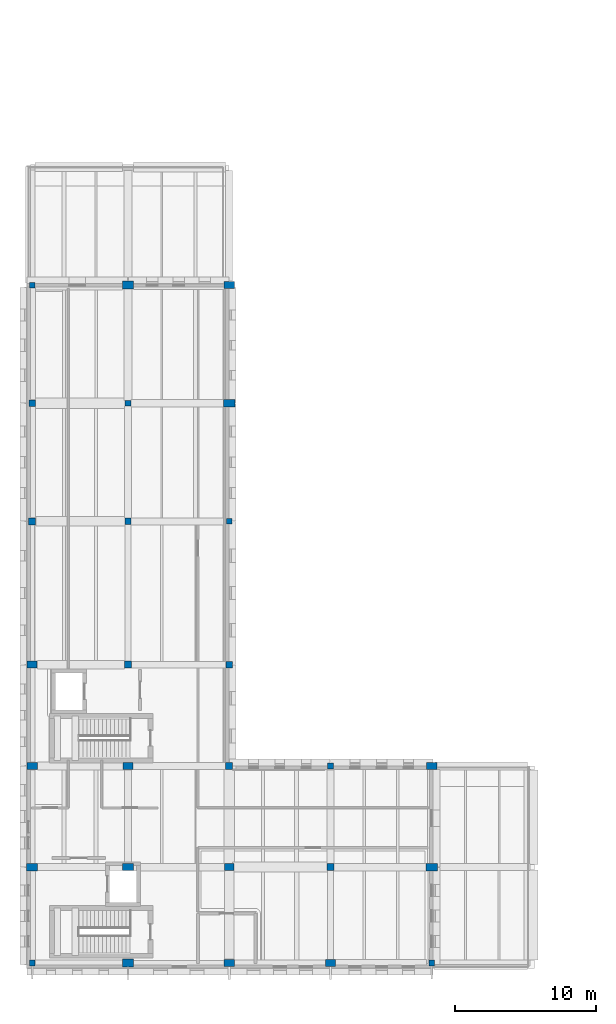
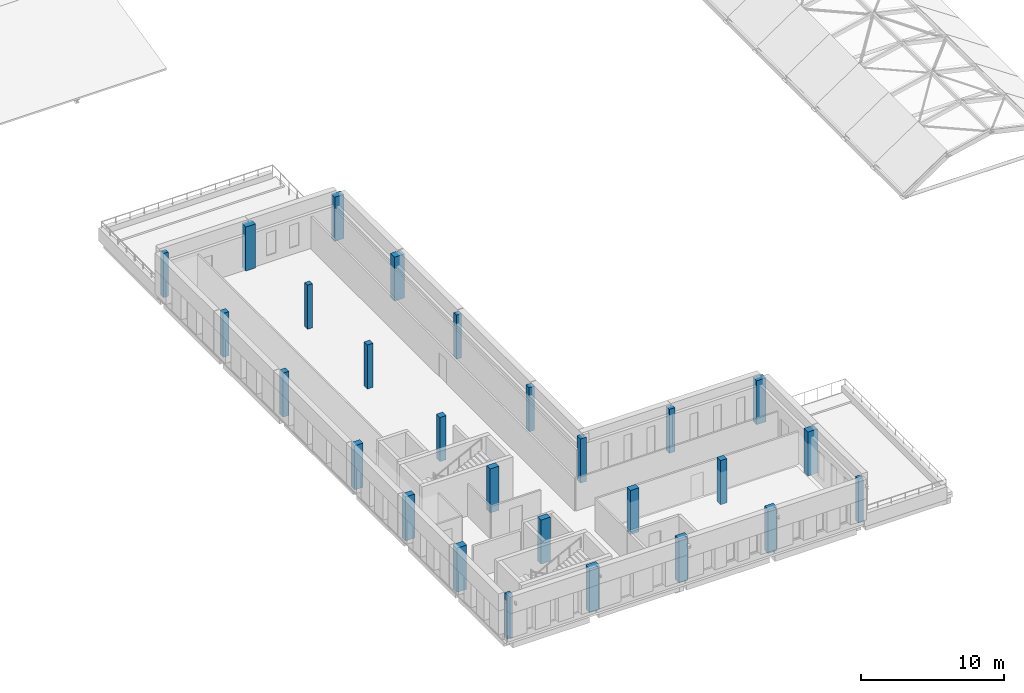
# One storey, part 1 of 15: 27 columns.
"""IFC4 building model written with IfcOpenShell, lengths in metres."""

import ifcopenshell
import ifcopenshell.guid

model = None  # the IFC model being written
_history = None  # IfcOwnerHistory: only IFC2X3 demands one
_inside = {}  # id of a spatial element -> (the spatial element, [elements in it])
_under = {}  # id of a project, library or spatial element -> (it, [spatial elements below it])
_declared = {}  # id of a project -> (the project, [libraries it declares])
_typed = {}  # id of a type object -> (the type object, [elements of that type])
_made_of = {}  # id of a material, layer set ... -> (it, [elements and type objects made of it])


def new_model(schema):
    """Start an empty IFC model of exactly this schema.

    Asked for "IFC4X3", IfcOpenShell would pick the latest addendum, in which some entities
    have other attributes; the version numbers below select the first issue.
    IFC2X3 requires an IfcOwnerHistory on every rooted entity: one is made here for all.
    """
    global model, _history
    if schema == "IFC4X3":
        model = ifcopenshell.file(schema_version=(4, 3, 0, 0))
    else:
        model = ifcopenshell.file(schema=schema)
    _inside.clear()
    _under.clear()
    _declared.clear()
    _typed.clear()
    _made_of.clear()
    _history = None
    if model.schema == "IFC2X3":
        org = make("IfcOrganization", Name="unknown")
        user = make(
            "IfcPersonAndOrganization",
            ThePerson=make("IfcPerson", FamilyName="unknown"),
            TheOrganization=org,
        )
        app = make(
            "IfcApplication",
            ApplicationDeveloper=org,
            Version="unknown",
            ApplicationFullName="unknown",
            ApplicationIdentifier="unknown",
        )
        _history = make(
            "IfcOwnerHistory",
            OwningUser=user,
            OwningApplication=app,
            ChangeAction="ADDED",
            CreationDate=0,
        )
    return model


def make(cls, **values):
    """One entity of the class cls with the attributes given. An attribute that is None is left unset."""
    return model.create_entity(
        cls, **{name: value for name, value in values.items() if value is not None}
    )


def rooted(cls, **values):
    """An entity with a GlobalId (a new one), such as an element, a storey or a relation."""
    return make(cls, GlobalId=ifcopenshell.guid.new(), OwnerHistory=_history, **values)


def si_unit(unit_type, name, prefix=None):
    """IfcSIUnit, for example si_unit("LENGTHUNIT", "METRE", prefix="MILLI")."""
    return make("IfcSIUnit", UnitType=unit_type, Prefix=prefix, Name=name)


def assignment(units):
    """IfcUnitAssignment: the units of a project."""
    return None if units is None else make("IfcUnitAssignment", Units=units)


def point(xyz):
    """IfcCartesianPoint."""
    return None if xyz is None else make("IfcCartesianPoint", Coordinates=xyz)


def direction(xyz):
    """IfcDirection."""
    return None if xyz is None else make("IfcDirection", DirectionRatios=xyz)


def frame(location, z_axis=None, x_axis=None):
    """IfcAxis2Placement3D, a coordinate frame: its origin and axes. An axis left out is left unset."""
    return make(
        "IfcAxis2Placement3D",
        Location=point(location),
        Axis=direction(z_axis),
        RefDirection=direction(x_axis),
    )


def frame_2d(location, x_axis=None):
    """IfcAxis2Placement2D, a coordinate frame in the plane: its origin and x axis."""
    return make(
        "IfcAxis2Placement2D", Location=point(location), RefDirection=direction(x_axis)
    )


def origin():
    """The frame at (0, 0, 0) with its axes left unset."""
    return frame((0.0, 0.0, 0.0))


def origin_2d():
    """The frame at (0, 0) in the plane with its x axis left unset."""
    return frame_2d((0.0, 0.0))


def place(relative_to, where):
    """IfcLocalPlacement: puts the frame where relative to a parent placement (None: the world)."""
    return make(
        "IfcLocalPlacement", PlacementRelTo=relative_to, RelativePlacement=where
    )


def context(
    kind, dimensions, precision=None, world=None, true_north=None, identifier=None
):
    """IfcGeometricRepresentationContext, for example the 3D "Model" context."""
    return make(
        "IfcGeometricRepresentationContext",
        ContextIdentifier=identifier,
        ContextType=kind,
        CoordinateSpaceDimension=dimensions,
        Precision=precision,
        WorldCoordinateSystem=world,
        TrueNorth=true_north,
    )


def subcontext(parent, identifier, kind, view, scale=None):
    """IfcGeometricRepresentationSubContext, for example "Body" below "Model"."""
    return make(
        "IfcGeometricRepresentationSubContext",
        ContextIdentifier=identifier,
        ContextType=kind,
        ParentContext=parent,
        TargetScale=scale,
        TargetView=view,
    )


def project(units=None, contexts=None):
    """IfcProject with its units and contexts."""
    return rooted(
        "IfcProject",
        Name="project",
        RepresentationContexts=contexts,
        UnitsInContext=assignment(units),
    )


def spatial(cls, under=None, at=None, **own):
    """A site, building, storey or space (cls), placed at a placement, below another one or the project."""
    s = rooted(cls, ObjectPlacement=at, **own)
    if under is not None:
        _under.setdefault(under.id(), (under, []))[1].append(s)
    return s


def profile(cls, at=None, kind="AREA", **sizes):
    """A parametric profile (cls). Its sizes go by their IFC names, for example OverallWidth=200.0."""
    return make(cls, ProfileType=kind, Position=at, **sizes)


def rectangle(**sizes):
    """IfcRectangleProfileDef."""
    return profile("IfcRectangleProfileDef", **sizes)


def extrude(swept, where, along, depth):
    """IfcExtrudedAreaSolid: the profile swept, set in the frame where, extruded along a direction by depth."""
    return make(
        "IfcExtrudedAreaSolid",
        SweptArea=swept,
        Position=where,
        ExtrudedDirection=direction(along),
        Depth=depth,
    )


def shape(context_of_items, identifier, shape_type, items):
    """IfcShapeRepresentation: the items that make up one representation, for example the "Body"."""
    return make(
        "IfcShapeRepresentation",
        ContextOfItems=context_of_items,
        RepresentationIdentifier=identifier,
        RepresentationType=shape_type,
        Items=items,
    )


def material(Name=None, Category=None):
    """IfcMaterial."""
    return make("IfcMaterial", Name=Name, Category=Category)


def material_profile(
    of_material, cross_section, Name=None, Category=None, Priority=None
):
    """IfcMaterialProfile: a cross section and its material."""
    return make(
        "IfcMaterialProfile",
        Name=Name,
        Material=of_material,
        Profile=cross_section,
        Priority=Priority,
        Category=Category,
    )


def profile_set(profiles, Name=None, composite=None):
    """IfcMaterialProfileSet."""
    return make(
        "IfcMaterialProfileSet",
        Name=Name,
        MaterialProfiles=profiles,
        CompositeProfile=composite,
    )


def made_of(thing, what):
    """Note that an element or type object is made of a material, layer set ...; save() writes the relation."""
    if what is not None:
        _made_of.setdefault(what.id(), (what, []))[1].append(thing)
    return thing


def type_object(cls, material=None, **own):
    """A type object (cls), such as IfcWallType, which elements share."""
    return made_of(rooted(cls, **own), material)


def element(
    cls,
    number,
    at=None,
    inside=None,
    cuts=None,
    type_object=None,
    material=None,
    context=None,
    identifier="Body",
    shape_type=None,
    held_by="IfcProductDefinitionShape",
    body=None,
    shapes=None,
    **own,
):
    """One element of the class cls, such as IfcWall. Its Tag is "e" and its number.

    at: its placement. inside: the storey or other place that contains it. cuts: it is an
    opening in that element (IfcRelVoidsElement). A single representation is given by context,
    identifier, shape_type and body (its items); several are given by shapes. held_by: the class
    of the entity that holds the representations. save() writes the other relations.
    """
    e = rooted(cls, Tag="e%d" % number, ObjectPlacement=at, **own)
    if body is not None:
        shapes = [shape(context, identifier, shape_type, body)]
    if shapes is not None:
        e.Representation = make(held_by, Representations=shapes)
    if inside is not None:
        _inside.setdefault(inside.id(), (inside, []))[1].append(e)
    if cuts is not None:
        rooted(
            "IfcRelVoidsElement", RelatingBuildingElement=cuts, RelatedOpeningElement=e
        )
    if type_object is not None:
        _typed.setdefault(type_object.id(), (type_object, []))[1].append(e)
    return made_of(e, material)


def aggregate(whole, parts):
    """IfcRelAggregates: a whole, such as a stair, and the parts it consists of."""
    return rooted("IfcRelAggregates", RelatingObject=whole, RelatedObjects=parts)


def save(model, path):
    """Write the relations noted so far, then the file.

    IfcRelAggregates (storeys below a building ...), IfcRelContainedInSpatialStructure (elements
    in a storey), IfcRelDefinesByType, IfcRelAssociatesMaterial and IfcRelDeclares: one each for
    every whole, place, type object, material and project.
    """
    for whole, parts in _under.values():
        aggregate(whole, parts)
    for where, things in _inside.values():
        rooted(
            "IfcRelContainedInSpatialStructure",
            RelatedElements=things,
            RelatingStructure=where,
        )
    for kind, things in _typed.values():
        rooted("IfcRelDefinesByType", RelatedObjects=things, RelatingType=kind)
    for what, things in _made_of.values():
        rooted("IfcRelAssociatesMaterial", RelatedObjects=things, RelatingMaterial=what)
    for by, libraries in _declared.values():
        rooted("IfcRelDeclares", RelatingContext=by, RelatedDefinitions=libraries)
    model.write(path)


model = new_model("IFC4")

# Units and contexts
model_context = context("Model", 3, precision=1e-05, world=origin(), true_north=direction((0.0, 1.0)))
body_context = subcontext(model_context, "Body", "Model", "MODEL_VIEW")
ifc_project = project(units=[si_unit("LENGTHUNIT", "METRE"), si_unit("AREAUNIT", "SQUARE_METRE"), si_unit("VOLUMEUNIT", "CUBIC_METRE"), si_unit("PLANEANGLEUNIT", "RADIAN"), si_unit("MASSUNIT", "GRAM", prefix="KILO")], contexts=[model_context])

# Site, building, storey
site_placement = place(None, origin())
site = spatial("IfcSite", under=ifc_project, at=site_placement, CompositionType="ELEMENT")
building_placement = place(site_placement, origin())
building = spatial("IfcBuilding", under=site, at=building_placement, Name="Vardoun Plaza Health Centre", CompositionType="ELEMENT")
storey_placement = place(building_placement, frame((0.0, 0.0, 17.10009765625)))
storey = spatial("IfcBuildingStorey", under=building, at=storey_placement, Name="L04", CompositionType="ELEMENT", Elevation=17.10009765625)

# Columns
ifc_material_1 = material(Name="Concrete C40/50", Category="concrete")
ifc_material_profile_1 = material_profile(ifc_material_1, rectangle(XDim=0.39990234375, YDim=0.39990234375, at=origin_2d()), Name="RC-COL 400x400")
ifc_profile_set_1 = profile_set([ifc_material_profile_1], Name="Concrete C40/50")
column_type_1 = type_object("IfcColumnType", Name="C-08", PredefinedType="COLUMN", material=ifc_profile_set_1)
for number, where, z_axis, x_axis, name in (
    (1, (4.8798828125, 4.8798828125, 0.0), (0.0, 0.0, 1.0), (1.0, 0.0, 0.0), "V2 L04 Column C-V2-01"),
    (2, (4.8798828125, 53.10009765625, 0.0), (0.0, 0.0, 1.0), (1.0, 0.0, 0.0), "V2 L04 Column C-V2-07"),
    (3, (11.699951171875, 44.699951171875, 0.0), (0.0, 0.0, 1.0), (1.0, 0.0, 0.0), "V2 L04 Column C-V2-13"),
    (4, (18.89990234375, 36.300048828125, 0.0), (0.0, 0.0, 1.0), (1.0, 0.0, 0.0), "V2 L04 Column C-V2-19"),
    (5, (33.300048828125, 4.8798828125, 0.0), (0.0, 0.0, 1.0), (1.0, 0.0, 0.0), "V2 L04 Column C-V2-25"),
):
    element("IfcColumn", number, at=place(storey_placement, frame(where, z_axis=z_axis, x_axis=x_axis)), inside=storey, type_object=column_type_1, Name=name, PredefinedType="COLUMN", context=body_context, shape_type="SweptSolid", body=[
        extrude(rectangle(XDim=0.39990234375, YDim=0.39990234375, at=origin_2d()), origin(), (0.0, 0.0, 1.0), 3.77001953125),
    ])
ifc_material_2 = material(Name="Concrete C40/50", Category="concrete")
ifc_material_profile_2 = material_profile(ifc_material_2, rectangle(XDim=0.449951171875, YDim=0.449951171875, at=origin_2d()), Name="RC-COL 450x450")
ifc_profile_set_2 = profile_set([ifc_material_profile_2], Name="Concrete C40/50")
column_type_2 = type_object("IfcColumnType", Name="C-07", PredefinedType="COLUMN", material=ifc_profile_set_2)
for number, where, z_axis, x_axis, name in (
    (6, (4.8798828125, 44.699951171875, 0.0), (0.0, 0.0, 1.0), (1.0, 0.0, 0.0), "V2 L04 Column C-V2-06"),
    (7, (11.699951171875, 36.300048828125, 0.0), (0.0, 0.0, 1.0), (1.0, 0.0, 0.0), "V2 L04 Column C-V2-12"),
    (8, (18.89990234375, 26.10009765625, 0.0), (0.0, 0.0, 1.0), (1.0, 0.0, 0.0), "V2 L04 Column C-V2-18"),
    (9, (26.10009765625, 18.89990234375, 0.0), (0.0, 0.0, 1.0), (1.0, 0.0, 0.0), "V2 L04 Column C-V2-24"),
):
    element("IfcColumn", number, at=place(storey_placement, frame(where, z_axis=z_axis, x_axis=x_axis)), inside=storey, type_object=column_type_2, Name=name, PredefinedType="COLUMN", context=body_context, shape_type="SweptSolid", body=[
        extrude(rectangle(XDim=0.449951171875, YDim=0.449951171875, at=origin_2d()), origin(), (0.0, 0.0, 1.0), 3.77001953125),
    ])
ifc_material_3 = material(Name="Concrete C40/50", Category="concrete")
ifc_material_profile_3 = material_profile(ifc_material_3, rectangle(XDim=0.5, YDim=0.5, at=origin_2d()), Name="RC-COL 500x500")
ifc_profile_set_3 = profile_set([ifc_material_profile_3], Name="Concrete C40/50")
column_type_3 = type_object("IfcColumnType", Name="C-06", PredefinedType="COLUMN", material=ifc_profile_set_3)
for number, where, z_axis, x_axis, name in (
    (10, (4.8798828125, 36.300048828125, 0.0), (0.0, 0.0, 1.0), (1.0, 0.0, 0.0), "V2 L04 Column C-V2-05"),
    (11, (11.699951171875, 26.10009765625, 0.0), (0.0, 0.0, 1.0), (1.0, 0.0, 0.0), "V2 L04 Column C-V2-11"),
    (12, (18.89990234375, 18.89990234375, 0.0), (0.0, 0.0, 1.0), (1.0, 0.0, 0.0), "V2 L04 Column C-V2-17"),
    (13, (26.10009765625, 11.699951171875, 0.0), (0.0, 0.0, 1.0), (1.0, 0.0, 0.0), "V2 L04 Column C-V2-23"),
):
    element("IfcColumn", number, at=place(storey_placement, frame(where, z_axis=z_axis, x_axis=x_axis)), inside=storey, type_object=column_type_3, Name=name, PredefinedType="COLUMN", context=body_context, shape_type="SweptSolid", body=[
        extrude(rectangle(XDim=0.5, YDim=0.5, at=origin_2d()), origin(), (0.0, 0.0, 1.0), 3.77001953125),
    ])
ifc_material_4 = material(Name="Concrete C40/50", Category="concrete")
ifc_material_profile_4 = material_profile(ifc_material_4, rectangle(XDim=0.699951171875, YDim=0.5, at=origin_2d()), Name="RC-COL 700x500")
ifc_profile_set_4 = profile_set([ifc_material_profile_4], Name="Concrete C40/50")
column_type_4 = type_object("IfcColumnType", Name="C-11", PredefinedType="COLUMN", material=ifc_profile_set_4)
for number, where, z_axis, x_axis, name in (
    (14, (4.8798828125, 26.10009765625, 0.0), (0.0, 0.0, 1.0), (1.0, 0.0, 0.0), "V2 L04 Column C-V2-04"),
    (15, (11.699951171875, 18.89990234375, 0.0), (0.0, 0.0, 1.0), (1.0, 0.0, 0.0), "V2 L04 Column C-V2-10"),
    (16, (18.89990234375, 11.699951171875, 0.0), (0.0, 0.0, 1.0), (1.0, 0.0, 0.0), "V2 L04 Column C-V2-16"),
    (17, (26.10009765625, 4.8798828125, 0.0), (0.0, 0.0, 1.0), (1.0, 0.0, 0.0), "V2 L04 Column C-V2-22"),
):
    element("IfcColumn", number, at=place(storey_placement, frame(where, z_axis=z_axis, x_axis=x_axis)), inside=storey, type_object=column_type_4, Name=name, PredefinedType="COLUMN", context=body_context, shape_type="SweptSolid", body=[
        extrude(rectangle(XDim=0.699951171875, YDim=0.5, at=origin_2d()), origin(), (0.0, 0.0, 1.0), 3.77001953125),
    ])
ifc_material_5 = material(Name="Concrete C40/50", Category="concrete")
ifc_material_profile_5 = material_profile(ifc_material_5, rectangle(XDim=0.75, YDim=0.5, at=origin_2d()), Name="RC-COL 750x500")
ifc_profile_set_5 = profile_set([ifc_material_profile_5], Name="Concrete C40/50")
column_type_5 = type_object("IfcColumnType", Name="C-10", PredefinedType="COLUMN", material=ifc_profile_set_5)
for number, where, z_axis, x_axis, name in (
    (18, (4.8798828125, 18.89990234375, 0.0), (0.0, 0.0, 1.0), (1.0, 0.0, 0.0), "V2 L04 Column C-V2-03"),
    (19, (11.699951171875, 11.699951171875, 0.0), (0.0, 0.0, 1.0), (1.0, 0.0, 0.0), "V2 L04 Column C-V2-09"),
    (20, (18.89990234375, 4.8798828125, 0.0), (0.0, 0.0, 1.0), (1.0, 0.0, 0.0), "V2 L04 Column C-V2-15"),
    (21, (18.89990234375, 53.10009765625, 0.0), (0.0, 0.0, 1.0), (1.0, 0.0, 0.0), "V2 L04 Column C-V2-21"),
    (22, (33.300048828125, 18.89990234375, 0.0), (0.0, 0.0, 1.0), (1.0, 0.0, 0.0), "V2 L04 Column C-V2-27"),
):
    element("IfcColumn", number, at=place(storey_placement, frame(where, z_axis=z_axis, x_axis=x_axis)), inside=storey, type_object=column_type_5, Name=name, PredefinedType="COLUMN", context=body_context, shape_type="SweptSolid", body=[
        extrude(rectangle(XDim=0.75, YDim=0.5, at=origin_2d()), origin(), (0.0, 0.0, 1.0), 3.77001953125),
    ])
ifc_material_6 = material(Name="Concrete C40/50", Category="concrete")
ifc_material_profile_6 = material_profile(ifc_material_6, rectangle(XDim=0.800048828125, YDim=0.550048828125, at=origin_2d()), Name="RC-COL 800x550")
ifc_profile_set_6 = profile_set([ifc_material_profile_6], Name="Concrete C40/50")
column_type_6 = type_object("IfcColumnType", Name="C-09", PredefinedType="COLUMN", material=ifc_profile_set_6)
for number, where, z_axis, x_axis, name in (
    (23, (4.8798828125, 11.699951171875, 0.0), (0.0, 0.0, 1.0), (1.0, 0.0, 0.0), "V2 L04 Column C-V2-02"),
    (24, (11.699951171875, 4.8798828125, 0.0), (0.0, 0.0, 1.0), (1.0, 0.0, 0.0), "V2 L04 Column C-V2-08"),
    (25, (11.699951171875, 53.10009765625, 0.0), (0.0, 0.0, 1.0), (1.0, 0.0, 0.0), "V2 L04 Column C-V2-14"),
    (26, (18.89990234375, 44.699951171875, 0.0), (0.0, 0.0, 1.0), (1.0, 0.0, 0.0), "V2 L04 Column C-V2-20"),
    (27, (33.300048828125, 11.699951171875, 0.0), (0.0, 0.0, 1.0), (1.0, 0.0, 0.0), "V2 L04 Column C-V2-26"),
):
    element("IfcColumn", number, at=place(storey_placement, frame(where, z_axis=z_axis, x_axis=x_axis)), inside=storey, type_object=column_type_6, Name=name, PredefinedType="COLUMN", context=body_context, shape_type="SweptSolid", body=[
        extrude(rectangle(XDim=0.800048828125, YDim=0.550048828125, at=origin_2d()), origin(), (0.0, 0.0, 1.0), 3.77001953125),
    ])

save(model, "model.ifc")
